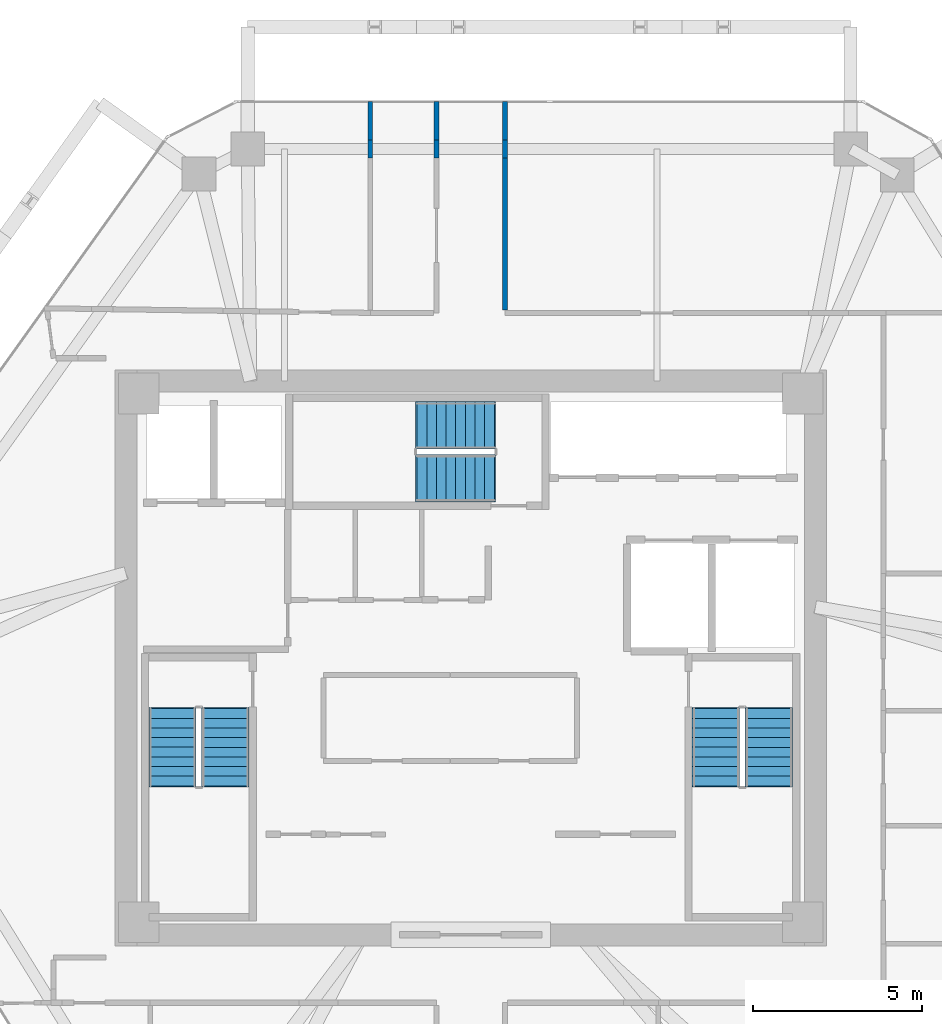
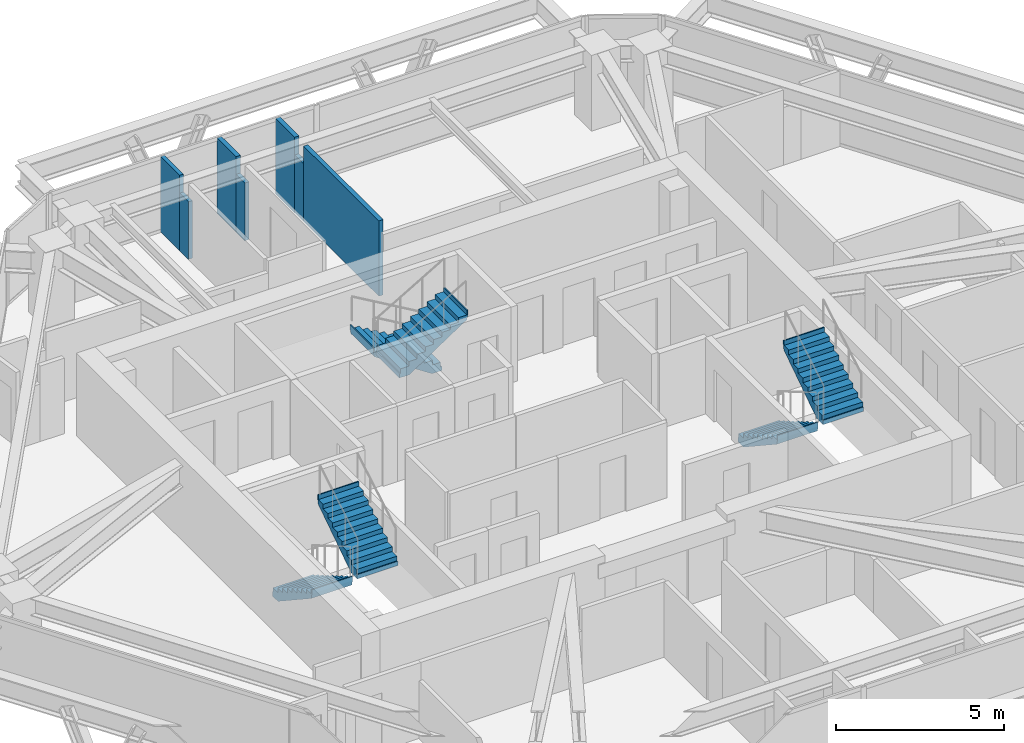
# One storey, part 11 of 12: 7 walls, 6 stair flights, 3 elements without a shape of their own.
"""IFC4 building model written with IfcOpenShell, lengths in metres."""

from ifc_helpers import new_model, si_unit, direction, frame, frame_2d, origin, place, context, subcontext, project, spatial, polyline, rectangle, outline, extrude, material, layer, layer_set, type_object, element, aggregate, save


model = new_model("IFC4")

# Units and contexts
model_context = context("Model", 3, precision=1e-05, world=origin(), true_north=direction((0.0, 1.0)))
body_context = subcontext(model_context, "Body", "Model", "MODEL_VIEW")
ifc_project = project(units=[si_unit("LENGTHUNIT", "METRE"), si_unit("AREAUNIT", "SQUARE_METRE"), si_unit("VOLUMEUNIT", "CUBIC_METRE"), si_unit("PLANEANGLEUNIT", "RADIAN"), si_unit("MASSUNIT", "GRAM", prefix="KILO")], contexts=[model_context])

# Site, building, storey
site_placement = place(None, origin())
site = spatial("IfcSite", under=ifc_project, at=site_placement, CompositionType="ELEMENT")
building_placement = place(site_placement, origin())
building = spatial("IfcBuilding", under=site, at=building_placement, Name="Durnholm Broadcast Tower", CompositionType="ELEMENT")
storey_placement = place(building_placement, frame((0.0, 0.0, 203.199951171875)))
storey = spatial("IfcBuildingStorey", under=building, at=storey_placement, Name="L56", CompositionType="ELEMENT", Elevation=203.199951171875)

# Walls
ifc_material_1 = material(Name="Gypsum Metal Stud Partition", Category="concrete")
ifc_layer_1 = layer(ifc_material_1, 0.135009765625)
ifc_layer_set_1 = layer_set([ifc_layer_1], Name="Gypsum Metal Stud Partition")
wall_type_1 = type_object("IfcWallType", Name="WALL-PART-135", PredefinedType="PARTITIONING", material=ifc_layer_set_1)
wall_1_placement = place(storey_placement, frame((-2.9599609375, 16.41796875, 0.0), z_axis=(0.0, 0.0, 1.0), x_axis=(0.0, -1.0, 0.0)))
element("IfcWall", 1, at=wall_1_placement, inside=storey, type_object=wall_type_1, Name="L56 room dividing partition 12.13", PredefinedType="PARTITIONING", context=body_context, shape_type="SweptSolid", body=[
    extrude(rectangle(XDim=1.137451171875, YDim=0.135009765625, at=frame_2d((0.56884765625, 0.0))), origin(), (0.0, 0.0, 1.0), 2.7451171875),
])
wall_2_placement = place(storey_placement, frame((-2.9599609375, 15.280517578125, 0.0), z_axis=(0.0, 0.0, 1.0), x_axis=(0.0, -1.0, 0.0)))
element("IfcWall", 2, at=wall_2_placement, inside=storey, type_object=wall_type_1, Name="L56 room dividing partition 12.13", PredefinedType="PARTITIONING", context=body_context, shape_type="SweptSolid", body=[
    extrude(rectangle(XDim=0.525146484375, YDim=0.135009765625, at=frame_2d((0.2626953125, 0.0))), origin(), (0.0, 0.0, 1.0), 2.098876953125),
])
ifc_material_2 = material(Name="Acoustic Gypsum Stud Partition", Category="concrete")
ifc_layer_2 = layer(ifc_material_2, 0.14990234375)
ifc_layer_set_2 = layer_set([ifc_layer_2], Name="Acoustic Gypsum Stud Partition")
wall_type_2 = type_object("IfcWallType", Name="WALL-PART-150", PredefinedType="PARTITIONING", material=ifc_layer_set_2)
wall_3_placement = place(storey_placement, frame((-1.010009765625, 16.41796875, 0.0), z_axis=(0.0, 0.0, 1.0), x_axis=(0.0, -1.0, 0.0)))
element("IfcWall", 3, at=wall_3_placement, inside=storey, type_object=wall_type_2, Name="L56 Investor Briefing Auditorium corridor partition", PredefinedType="PARTITIONING", context=body_context, shape_type="SweptSolid", body=[
    extrude(rectangle(XDim=1.137451171875, YDim=0.14990234375, at=frame_2d((0.56884765625, 0.0))), origin(), (0.0, 0.0, 1.0), 2.7451171875),
])
wall_4_placement = place(storey_placement, frame((-1.010009765625, 15.280517578125, 0.0), z_axis=(0.0, 0.0, 1.0), x_axis=(0.0, -1.0, 0.0)))
element("IfcWall", 4, at=wall_4_placement, inside=storey, type_object=wall_type_2, Name="L56 Investor Briefing Auditorium corridor partition", PredefinedType="PARTITIONING", context=body_context, shape_type="SweptSolid", body=[
    extrude(rectangle(XDim=0.525146484375, YDim=0.14990234375, at=frame_2d((0.2626953125, 0.0))), origin(), (0.0, 0.0, 1.0), 2.098876953125),
])
wall_5_placement = place(storey_placement, frame((1.010009765625, 10.259033203125, 0.0), z_axis=(0.0, 0.0, 1.0), x_axis=(0.0, 1.0, 0.0)))
element("IfcWall", 5, at=wall_5_placement, inside=storey, type_object=wall_type_2, Name="L56 Treasury Dining Room corridor partition", PredefinedType="PARTITIONING", context=body_context, shape_type="SweptSolid", body=[
    extrude(rectangle(XDim=4.496337890625, YDim=0.14990234375, at=frame_2d((2.248046875, 0.0))), origin(), (0.0, 0.0, 1.0), 2.7451171875),
])
wall_6_placement = place(storey_placement, frame((1.010009765625, 15.280517578125, 0.0), z_axis=(0.0, 0.0, 1.0), x_axis=(0.0, 1.0, 0.0)))
element("IfcWall", 6, at=wall_6_placement, inside=storey, type_object=wall_type_2, Name="L56 Treasury Dining Room corridor partition", PredefinedType="PARTITIONING", context=body_context, shape_type="SweptSolid", body=[
    extrude(rectangle(XDim=1.137451171875, YDim=0.14990234375, at=frame_2d((0.56884765625, 0.0))), origin(), (0.0, 0.0, 1.0), 2.7451171875),
])
wall_7_placement = place(storey_placement, frame((1.010009765625, 14.75537109375, 0.0), z_axis=(0.0, 0.0, 1.0), x_axis=(0.0, 1.0, 0.0)))
element("IfcWall", 7, at=wall_7_placement, inside=storey, type_object=wall_type_2, Name="L56 Treasury Dining Room corridor partition", PredefinedType="PARTITIONING", context=body_context, shape_type="SweptSolid", body=[
    extrude(rectangle(XDim=0.525146484375, YDim=0.14990234375, at=frame_2d((0.2626953125, 0.0))), origin(), (0.0, 0.0, 1.0), 2.098876953125),
])

# Stair, stair flights
ifc_material_3 = material(Name="Concrete C50/60", Category="concrete")
stair_type = type_object("IfcStairType", Name="STAIR-DL-18R1667", PredefinedType="HALF_TURN_STAIR", material=ifc_material_3)
stair_1_placement = place(storey_placement, origin())
stair_1 = element("IfcStair", 8, at=stair_1_placement, inside=storey, type_object=stair_type, Name="L56 ST-1", PredefinedType="HALF_TURN_STAIR")
stair_flight_type = type_object("IfcStairFlightType", Name="FLIGHT-DL-18R1667", PredefinedType="STRAIGHT", material=ifc_material_3)
stair_flight_1_placement = place(storey_placement, frame((-8.800048828125, -1.5, 0.0), z_axis=(0.0, 0.0, 1.0), x_axis=(0.0, -1.0, 0.0)))
stair_flight_1 = element("IfcStairFlight", 9, at=stair_flight_1_placement, type_object=stair_flight_type, Name="ST-1 flight 1", NumberOfRisers=9, NumberOfTreads=8, PredefinedType="STRAIGHT", RiserHeight=0.166666667, TreadLength=0.285, context=body_context, shape_type="SweptSolid", body=[
    extrude(outline(polyline([(-0.0400390625, -0.14990234375), (-0.0400390625, 0.0), (0.0, 0.0), (0.0, 0.166748046875), (0.284912109375, 0.166748046875), (0.284912109375, 0.333251953125), (0.570068359375, 0.333251953125), (0.570068359375, 0.5), (0.85498046875, 0.5), (0.85498046875, 0.666748046875), (1.139892578125, 0.666748046875), (1.139892578125, 0.833251953125), (1.425048828125, 0.833251953125), (1.425048828125, 1.0), (1.7099609375, 1.0), (1.7099609375, 1.166748046875), (1.9951171875, 1.166748046875), (1.9951171875, 1.333251953125), (2.280029296875, 1.333251953125), (2.280029296875, 1.5), (2.320068359375, 1.5), (2.320068359375, 1.35009765625), (2.280029296875, 1.15966796875), (0.296875, -0.14990234375), (-0.0400390625, -0.14990234375)])), frame((0.0, 0.699951171875, 0.0), z_axis=(0.0, -1.0, 0.0), x_axis=(1.0, 0.0, 0.0)), (0.0, 0.0, 1.0), 1.39990234375),
])
stair_flight_2_placement = place(storey_placement, frame((-7.239990234375, -3.780029296875, 1.5), z_axis=(0.0, 0.0, 1.0), x_axis=(0.0, 1.0, 0.0)))
stair_flight_2 = element("IfcStairFlight", 10, at=stair_flight_2_placement, type_object=stair_flight_type, Name="ST-1 flight 2", NumberOfRisers=9, NumberOfTreads=8, PredefinedType="STRAIGHT", RiserHeight=0.166666667, TreadLength=0.285, context=body_context, shape_type="SweptSolid", body=[
    extrude(outline(polyline([(-0.0400390625, -0.14990234375), (-0.0400390625, 0.0), (0.0, 0.0), (0.0, 0.166748046875), (0.284912109375, 0.166748046875), (0.284912109375, 0.333251953125), (0.570068359375, 0.333251953125), (0.570068359375, 0.5), (0.85498046875, 0.5), (0.85498046875, 0.666748046875), (1.139892578125, 0.666748046875), (1.139892578125, 0.833251953125), (1.425048828125, 0.833251953125), (1.425048828125, 1.0), (1.7099609375, 1.0), (1.7099609375, 1.166748046875), (1.9951171875, 1.166748046875), (1.9951171875, 1.333251953125), (2.280029296875, 1.333251953125), (2.280029296875, 1.5), (2.320068359375, 1.5), (2.320068359375, 1.35009765625), (2.280029296875, 1.15966796875), (0.296875, -0.14990234375), (-0.0400390625, -0.14990234375)])), frame((0.0, 0.699951171875, 0.0), z_axis=(0.0, -1.0, 0.0), x_axis=(1.0, 0.0, 0.0)), (0.0, 0.0, 1.0), 1.39990234375),
])
aggregate(stair_1, [stair_flight_1, stair_flight_2])

stair_2_placement = place(storey_placement, origin())
stair_2 = element("IfcStair", 11, at=stair_2_placement, inside=storey, type_object=stair_type, Name="L56 ST-2", PredefinedType="HALF_TURN_STAIR")
stair_flight_3_placement = place(storey_placement, frame((7.239990234375, -1.5, 0.0), z_axis=(0.0, 0.0, 1.0), x_axis=(0.0, -1.0, 0.0)))
stair_flight_3 = element("IfcStairFlight", 12, at=stair_flight_3_placement, type_object=stair_flight_type, Name="ST-2 flight 1", NumberOfRisers=9, NumberOfTreads=8, PredefinedType="STRAIGHT", RiserHeight=0.166666667, TreadLength=0.285, context=body_context, shape_type="SweptSolid", body=[
    extrude(outline(polyline([(-0.0400390625, -0.14990234375), (-0.0400390625, 0.0), (0.0, 0.0), (0.0, 0.166748046875), (0.284912109375, 0.166748046875), (0.284912109375, 0.333251953125), (0.570068359375, 0.333251953125), (0.570068359375, 0.5), (0.85498046875, 0.5), (0.85498046875, 0.666748046875), (1.139892578125, 0.666748046875), (1.139892578125, 0.833251953125), (1.425048828125, 0.833251953125), (1.425048828125, 1.0), (1.7099609375, 1.0), (1.7099609375, 1.166748046875), (1.9951171875, 1.166748046875), (1.9951171875, 1.333251953125), (2.280029296875, 1.333251953125), (2.280029296875, 1.5), (2.320068359375, 1.5), (2.320068359375, 1.35009765625), (2.280029296875, 1.15966796875), (0.296875, -0.14990234375), (-0.0400390625, -0.14990234375)])), frame((0.0, 0.699951171875, 0.0), z_axis=(0.0, -1.0, 0.0), x_axis=(1.0, 0.0, 0.0)), (0.0, 0.0, 1.0), 1.39990234375),
])
stair_flight_4_placement = place(storey_placement, frame((8.800048828125, -3.780029296875, 1.5), z_axis=(0.0, 0.0, 1.0), x_axis=(0.0, 1.0, 0.0)))
stair_flight_4 = element("IfcStairFlight", 13, at=stair_flight_4_placement, type_object=stair_flight_type, Name="ST-2 flight 2", NumberOfRisers=9, NumberOfTreads=8, PredefinedType="STRAIGHT", RiserHeight=0.166666667, TreadLength=0.285, context=body_context, shape_type="SweptSolid", body=[
    extrude(outline(polyline([(-0.0400390625, -0.14990234375), (-0.0400390625, 0.0), (0.0, 0.0), (0.0, 0.166748046875), (0.284912109375, 0.166748046875), (0.284912109375, 0.333251953125), (0.570068359375, 0.333251953125), (0.570068359375, 0.5), (0.85498046875, 0.5), (0.85498046875, 0.666748046875), (1.139892578125, 0.666748046875), (1.139892578125, 0.833251953125), (1.425048828125, 0.833251953125), (1.425048828125, 1.0), (1.7099609375, 1.0), (1.7099609375, 1.166748046875), (1.9951171875, 1.166748046875), (1.9951171875, 1.333251953125), (2.280029296875, 1.333251953125), (2.280029296875, 1.5), (2.320068359375, 1.5), (2.320068359375, 1.35009765625), (2.280029296875, 1.15966796875), (0.296875, -0.14990234375), (-0.0400390625, -0.14990234375)])), frame((0.0, 0.699951171875, 0.0), z_axis=(0.0, -1.0, 0.0), x_axis=(1.0, 0.0, 0.0)), (0.0, 0.0, 1.0), 1.39990234375),
])
aggregate(stair_2, [stair_flight_3, stair_flight_4])

stair_3_placement = place(storey_placement, origin())
stair_3 = element("IfcStair", 14, at=stair_3_placement, inside=storey, type_object=stair_type, Name="L56 ST-3", PredefinedType="HALF_TURN_STAIR")
stair_flight_5_placement = place(storey_placement, frame((0.699951171875, 6.860107421875, 0.0), z_axis=(0.0, 0.0, 1.0), x_axis=(-1.0, 0.0, 0.0)))
stair_flight_5 = element("IfcStairFlight", 15, at=stair_flight_5_placement, type_object=stair_flight_type, Name="ST-3 flight 1", NumberOfRisers=9, NumberOfTreads=8, PredefinedType="STRAIGHT", RiserHeight=0.166666667, TreadLength=0.285, context=body_context, shape_type="SweptSolid", body=[
    extrude(outline(polyline([(-0.0400390625, -0.14990234375), (-0.0400390625, 0.0), (0.0, 0.0), (0.0, 0.166748046875), (0.284912109375, 0.166748046875), (0.284912109375, 0.333251953125), (0.570068359375, 0.333251953125), (0.570068359375, 0.5), (0.85498046875, 0.5), (0.85498046875, 0.666748046875), (1.139892578125, 0.666748046875), (1.139892578125, 0.833251953125), (1.425048828125, 0.833251953125), (1.425048828125, 1.0), (1.7099609375, 1.0), (1.7099609375, 1.166748046875), (1.9951171875, 1.166748046875), (1.9951171875, 1.333251953125), (2.280029296875, 1.333251953125), (2.280029296875, 1.5), (2.320068359375, 1.5), (2.320068359375, 1.35009765625), (2.280029296875, 1.15966796875), (0.296875, -0.14990234375), (-0.0400390625, -0.14990234375)])), frame((0.0, 0.699951171875, 0.0), z_axis=(0.0, -1.0, 0.0), x_axis=(1.0, 0.0, 0.0)), (0.0, 0.0, 1.0), 1.39990234375),
])
stair_flight_6_placement = place(storey_placement, frame((-1.580078125, 5.300048828125, 1.5), z_axis=(0.0, 0.0, 1.0), x_axis=(1.0, 0.0, 0.0)))
stair_flight_6 = element("IfcStairFlight", 16, at=stair_flight_6_placement, type_object=stair_flight_type, Name="ST-3 flight 2", NumberOfRisers=9, NumberOfTreads=8, PredefinedType="STRAIGHT", RiserHeight=0.166666667, TreadLength=0.285, context=body_context, shape_type="SweptSolid", body=[
    extrude(outline(polyline([(-0.0400390625, -0.14990234375), (-0.0400390625, 0.0), (0.0, 0.0), (0.0, 0.166748046875), (0.284912109375, 0.166748046875), (0.284912109375, 0.333251953125), (0.570068359375, 0.333251953125), (0.570068359375, 0.5), (0.85498046875, 0.5), (0.85498046875, 0.666748046875), (1.139892578125, 0.666748046875), (1.139892578125, 0.833251953125), (1.425048828125, 0.833251953125), (1.425048828125, 1.0), (1.7099609375, 1.0), (1.7099609375, 1.166748046875), (1.9951171875, 1.166748046875), (1.9951171875, 1.333251953125), (2.280029296875, 1.333251953125), (2.280029296875, 1.5), (2.320068359375, 1.5), (2.320068359375, 1.35009765625), (2.280029296875, 1.15966796875), (0.296875, -0.14990234375), (-0.0400390625, -0.14990234375)])), frame((0.0, 0.699951171875, 0.0), z_axis=(0.0, -1.0, 0.0), x_axis=(1.0, 0.0, 0.0)), (0.0, 0.0, 1.0), 1.39990234375),
])
aggregate(stair_3, [stair_flight_5, stair_flight_6])

save(model, "model.ifc")
